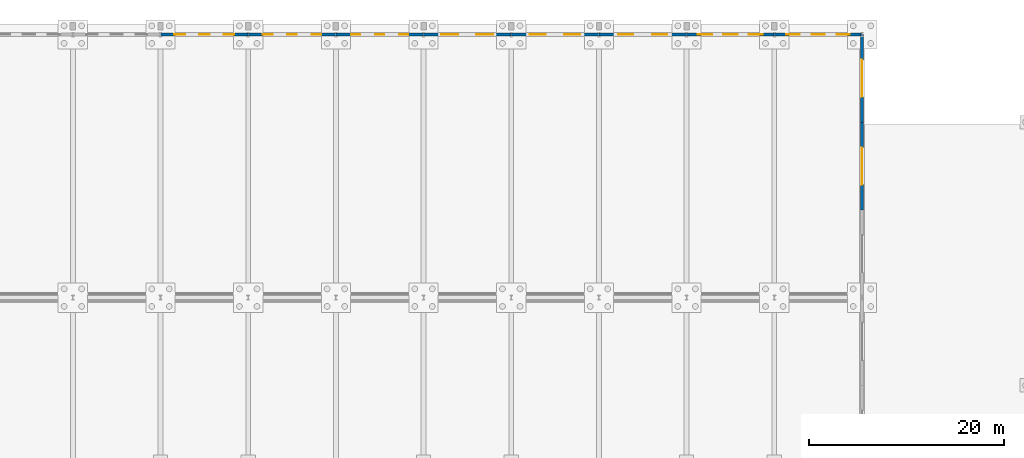
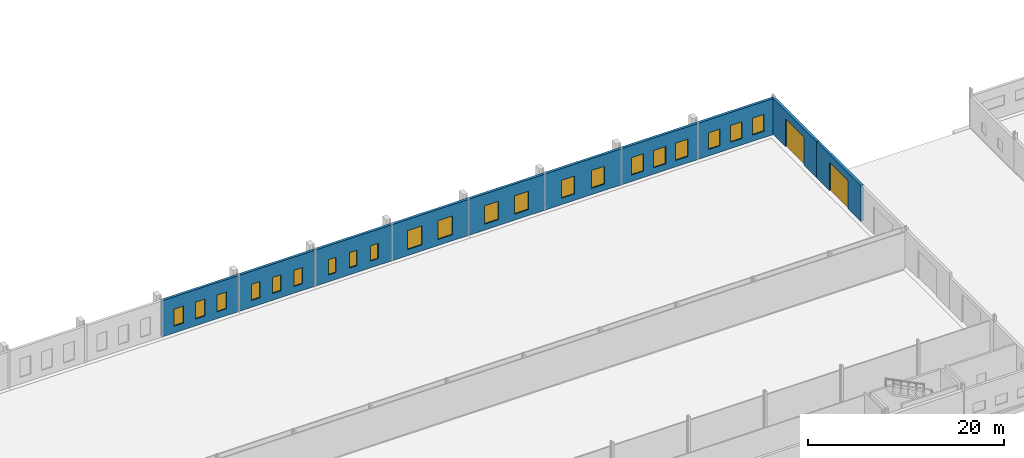
# One storey, part 84 of 112: 21 windows, 10 walls, 2 doors, 23 openings.
"""IFC4 building model written with IfcOpenShell, lengths in metres."""

from ifc_helpers import new_model, si_unit, direction, frame, frame_2d, origin, place, context, subcontext, project, spatial, rectangle, extrude, material, layer, layer_set, type_object, element, fill, save


model = new_model("IFC4")

# Units and contexts
model_context = context("Model", 3, precision=1e-05, world=origin(), true_north=direction((0.0, 1.0)))
body_context = subcontext(model_context, "Body", "Model", "MODEL_VIEW")
ifc_project = project(units=[si_unit("LENGTHUNIT", "METRE"), si_unit("AREAUNIT", "SQUARE_METRE"), si_unit("VOLUMEUNIT", "CUBIC_METRE"), si_unit("PLANEANGLEUNIT", "RADIAN"), si_unit("MASSUNIT", "GRAM", prefix="KILO")], contexts=[model_context])

# Site, building, storey
site_placement = place(None, origin())
site = spatial("IfcSite", under=ifc_project, at=site_placement, CompositionType="ELEMENT")
building_placement = place(site_placement, origin())
building = spatial("IfcBuilding", under=site, at=building_placement, Name="Tharagai Park Tramway Depot", CompositionType="ELEMENT")
storey_placement = place(building_placement, origin())
storey = spatial("IfcBuildingStorey", under=building, at=storey_placement, Name="L00", CompositionType="ELEMENT", Elevation=0.0)

# Wall, openings, windows
ifc_material_1 = material(Name="Pressed clay brick", Category="masonry")
ifc_layer = layer(ifc_material_1, 0.300048828125)
ifc_layer_set = layer_set([ifc_layer], Name="Pressed clay brick")
wall_type = type_object("IfcWallType", Name="EW-08", PredefinedType="SOLIDWALL", material=ifc_layer_set)
wall_1_placement = place(storey_placement, frame((72.00390625, 144.0, 0.0), z_axis=(0.0, 0.0, 1.0), x_axis=(1.0, 0.0, 0.0)))
wall_1 = element("IfcWall", 1, at=wall_1_placement, inside=storey, type_object=wall_type, Name="L00 V1 Exterior Masonry Wall EW-08", PredefinedType="SOLIDWALL", context=body_context, shape_type="SweptSolid", body=[
    extrude(rectangle(XDim=8.9921875, YDim=0.300048828125, at=frame_2d((4.49609375, 0.0))), origin(), (0.0, 0.0, 1.0), 4.491943359375),
])
opening_1_placement = place(wall_1_placement, frame((1.423095703125, 0.0, 0.85009765625)))
opening_1 = element("IfcOpeningElement", 2, at=opening_1_placement, cuts=wall_1, Name="Opening WN-10", PredefinedType="OPENING", context=body_context, shape_type="SweptSolid", body=[
    extrude(rectangle(XDim=1.10009765625, YDim=2.10009765625, at=frame_2d((0.550048828125, 1.050048828125))), frame((0.0, 0.159912109375, 0.0), z_axis=(0.0, -1.0, 0.0), x_axis=(1.0, 0.0, 0.0)), (0.0, 0.0, 1.0), 0.320068359375),
])
opening_2_placement = place(wall_1_placement, frame((3.946044921875, 0.0, 0.85009765625)))
opening_2 = element("IfcOpeningElement", 3, at=opening_2_placement, cuts=wall_1, Name="Opening WN-10", PredefinedType="OPENING", context=body_context, shape_type="SweptSolid", body=[
    extrude(rectangle(XDim=1.10009765625, YDim=2.10009765625, at=frame_2d((0.550048828125, 1.050048828125))), frame((0.0, 0.159912109375, 0.0), z_axis=(0.0, -1.0, 0.0), x_axis=(1.0, 0.0, 0.0)), (0.0, 0.0, 1.0), 0.320068359375),
])
opening_3_placement = place(wall_1_placement, frame((6.468994140625, 0.0, 0.85009765625)))
opening_3 = element("IfcOpeningElement", 4, at=opening_3_placement, cuts=wall_1, Name="Opening WN-10", PredefinedType="OPENING", context=body_context, shape_type="SweptSolid", body=[
    extrude(rectangle(XDim=1.10009765625, YDim=2.10009765625, at=frame_2d((0.550048828125, 1.050048828125))), frame((0.0, 0.159912109375, 0.0), z_axis=(0.0, -1.0, 0.0), x_axis=(1.0, 0.0, 0.0)), (0.0, 0.0, 1.0), 0.320068359375),
])
ifc_material_2 = material(Name="Laminated solar-control glass", Category="glass")
window_type_1 = type_object("IfcWindowType", Name="WN-10", PartitioningType="SINGLE_PANEL", PredefinedType="WINDOW", material=ifc_material_2)
window_1_placement = place(opening_1_placement, origin())
window_1 = element("IfcWindow", 5, at=window_1_placement, inside=storey, type_object=window_type_1, Name="L00 V1 Gothic Lancet Window WN-10", OverallHeight=2.10009765625, OverallWidth=1.10009765625, PartitioningType="SINGLE_PANEL", PredefinedType="WINDOW", context=body_context, shape_type="SweptSolid", body=[
    extrude(rectangle(XDim=1.10009765625, YDim=2.10009765625, at=frame_2d((0.550048828125, 1.050048828125))), frame((0.0, 0.030029296875, 0.0), z_axis=(0.0, -1.0, 0.0), x_axis=(1.0, 0.0, 0.0)), (0.0, 0.0, 1.0), 0.06005859375),
])
fill(opening_1, window_1)
window_2_placement = place(opening_2_placement, origin())
window_2 = element("IfcWindow", 6, at=window_2_placement, inside=storey, type_object=window_type_1, Name="L00 V1 Gothic Lancet Window WN-10", OverallHeight=2.10009765625, OverallWidth=1.10009765625, PartitioningType="SINGLE_PANEL", PredefinedType="WINDOW", context=body_context, shape_type="SweptSolid", body=[
    extrude(rectangle(XDim=1.10009765625, YDim=2.10009765625, at=frame_2d((0.550048828125, 1.050048828125))), frame((0.0, 0.030029296875, 0.0), z_axis=(0.0, -1.0, 0.0), x_axis=(1.0, 0.0, 0.0)), (0.0, 0.0, 1.0), 0.06005859375),
])
fill(opening_2, window_2)
window_3_placement = place(opening_3_placement, origin())
window_3 = element("IfcWindow", 7, at=window_3_placement, inside=storey, type_object=window_type_1, Name="L00 V1 Gothic Lancet Window WN-10", OverallHeight=2.10009765625, OverallWidth=1.10009765625, PartitioningType="SINGLE_PANEL", PredefinedType="WINDOW", context=body_context, shape_type="SweptSolid", body=[
    extrude(rectangle(XDim=1.10009765625, YDim=2.10009765625, at=frame_2d((0.550048828125, 1.050048828125))), frame((0.0, 0.030029296875, 0.0), z_axis=(0.0, -1.0, 0.0), x_axis=(1.0, 0.0, 0.0)), (0.0, 0.0, 1.0), 0.06005859375),
])
fill(opening_3, window_3)

wall_2_placement = place(storey_placement, frame((81.00390625, 144.0, 0.0), z_axis=(0.0, 0.0, 1.0), x_axis=(1.0, 0.0, 0.0)))
wall_2 = element("IfcWall", 8, at=wall_2_placement, inside=storey, type_object=wall_type, Name="L00 V1 Exterior Masonry Wall EW-08", PredefinedType="SOLIDWALL", context=body_context, shape_type="SweptSolid", body=[
    extrude(rectangle(XDim=8.9921875, YDim=0.300048828125, at=frame_2d((4.49609375, 0.0))), origin(), (0.0, 0.0, 1.0), 4.491943359375),
])
opening_4_placement = place(wall_2_placement, frame((1.498046875, 0.0, 0.85009765625)))
opening_4 = element("IfcOpeningElement", 9, at=opening_4_placement, cuts=wall_2, Name="Opening WN-04", PredefinedType="OPENING", context=body_context, shape_type="SweptSolid", body=[
    extrude(rectangle(XDim=1.0, YDim=2.0, at=frame_2d((0.5, 1.0))), frame((0.0, 0.159912109375, 0.0), z_axis=(0.0, -1.0, 0.0), x_axis=(1.0, 0.0, 0.0)), (0.0, 0.0, 1.0), 0.320068359375),
])
opening_5_placement = place(wall_2_placement, frame((3.99609375, 0.0, 0.85009765625)))
opening_5 = element("IfcOpeningElement", 10, at=opening_5_placement, cuts=wall_2, Name="Opening WN-04", PredefinedType="OPENING", context=body_context, shape_type="SweptSolid", body=[
    extrude(rectangle(XDim=1.0, YDim=2.0, at=frame_2d((0.5, 1.0))), frame((0.0, 0.159912109375, 0.0), z_axis=(0.0, -1.0, 0.0), x_axis=(1.0, 0.0, 0.0)), (0.0, 0.0, 1.0), 0.320068359375),
])
opening_6_placement = place(wall_2_placement, frame((6.493896484375, 0.0, 0.85009765625)))
opening_6 = element("IfcOpeningElement", 11, at=opening_6_placement, cuts=wall_2, Name="Opening WN-04", PredefinedType="OPENING", context=body_context, shape_type="SweptSolid", body=[
    extrude(rectangle(XDim=1.0, YDim=2.0, at=frame_2d((0.5, 1.0))), frame((0.0, 0.159912109375, 0.0), z_axis=(0.0, -1.0, 0.0), x_axis=(1.0, 0.0, 0.0)), (0.0, 0.0, 1.0), 0.320068359375),
])
window_type_2 = type_object("IfcWindowType", Name="WN-04", PartitioningType="SINGLE_PANEL", PredefinedType="WINDOW", material=ifc_material_2)
window_4_placement = place(opening_4_placement, origin())
window_4 = element("IfcWindow", 12, at=window_4_placement, inside=storey, type_object=window_type_2, Name="L00 V1 Gothic Lancet Window WN-04", OverallHeight=2.0, OverallWidth=1.0, PartitioningType="SINGLE_PANEL", PredefinedType="WINDOW", context=body_context, shape_type="SweptSolid", body=[
    extrude(rectangle(XDim=1.0, YDim=2.0, at=frame_2d((0.5, 1.0))), frame((0.0, 0.030029296875, 0.0), z_axis=(0.0, -1.0, 0.0), x_axis=(1.0, 0.0, 0.0)), (0.0, 0.0, 1.0), 0.06005859375),
])
fill(opening_4, window_4)
window_5_placement = place(opening_5_placement, origin())
window_5 = element("IfcWindow", 13, at=window_5_placement, inside=storey, type_object=window_type_2, Name="L00 V1 Gothic Lancet Window WN-04", OverallHeight=2.0, OverallWidth=1.0, PartitioningType="SINGLE_PANEL", PredefinedType="WINDOW", context=body_context, shape_type="SweptSolid", body=[
    extrude(rectangle(XDim=1.0, YDim=2.0, at=frame_2d((0.5, 1.0))), frame((0.0, 0.030029296875, 0.0), z_axis=(0.0, -1.0, 0.0), x_axis=(1.0, 0.0, 0.0)), (0.0, 0.0, 1.0), 0.06005859375),
])
fill(opening_5, window_5)
window_6_placement = place(opening_6_placement, origin())
window_6 = element("IfcWindow", 14, at=window_6_placement, inside=storey, type_object=window_type_2, Name="L00 V1 Gothic Lancet Window WN-04", OverallHeight=2.0, OverallWidth=1.0, PartitioningType="SINGLE_PANEL", PredefinedType="WINDOW", context=body_context, shape_type="SweptSolid", body=[
    extrude(rectangle(XDim=1.0, YDim=2.0, at=frame_2d((0.5, 1.0))), frame((0.0, 0.030029296875, 0.0), z_axis=(0.0, -1.0, 0.0), x_axis=(1.0, 0.0, 0.0)), (0.0, 0.0, 1.0), 0.06005859375),
])
fill(opening_6, window_6)

wall_3_placement = place(storey_placement, frame((90.00390625, 144.0, 0.0), z_axis=(0.0, 0.0, 1.0), x_axis=(1.0, 0.0, 0.0)))
wall_3 = element("IfcWall", 15, at=wall_3_placement, inside=storey, type_object=wall_type, Name="L00 V1 Exterior Masonry Wall EW-08", PredefinedType="SOLIDWALL", context=body_context, shape_type="SweptSolid", body=[
    extrude(rectangle(XDim=8.9921875, YDim=0.300048828125, at=frame_2d((4.49609375, 0.0))), origin(), (0.0, 0.0, 1.0), 4.491943359375),
])
opening_7_placement = place(wall_3_placement, frame((1.572998046875, 0.0, 0.85009765625)))
opening_7 = element("IfcOpeningElement", 16, at=opening_7_placement, cuts=wall_3, Name="Opening WN-08", PredefinedType="OPENING", context=body_context, shape_type="SweptSolid", body=[
    extrude(rectangle(XDim=0.89990234375, YDim=1.89990234375, at=frame_2d((0.449951171875, 0.949951171875))), frame((0.0, 0.159912109375, 0.0), z_axis=(0.0, -1.0, 0.0), x_axis=(1.0, 0.0, 0.0)), (0.0, 0.0, 1.0), 0.320068359375),
])
opening_8_placement = place(wall_3_placement, frame((4.0458984375, 0.0, 0.85009765625)))
opening_8 = element("IfcOpeningElement", 17, at=opening_8_placement, cuts=wall_3, Name="Opening WN-08", PredefinedType="OPENING", context=body_context, shape_type="SweptSolid", body=[
    extrude(rectangle(XDim=0.89990234375, YDim=1.89990234375, at=frame_2d((0.449951171875, 0.949951171875))), frame((0.0, 0.159912109375, 0.0), z_axis=(0.0, -1.0, 0.0), x_axis=(1.0, 0.0, 0.0)), (0.0, 0.0, 1.0), 0.320068359375),
])
opening_9_placement = place(wall_3_placement, frame((6.51904296875, 0.0, 0.85009765625)))
opening_9 = element("IfcOpeningElement", 18, at=opening_9_placement, cuts=wall_3, Name="Opening WN-08", PredefinedType="OPENING", context=body_context, shape_type="SweptSolid", body=[
    extrude(rectangle(XDim=0.89990234375, YDim=1.89990234375, at=frame_2d((0.449951171875, 0.949951171875))), frame((0.0, 0.159912109375, 0.0), z_axis=(0.0, -1.0, 0.0), x_axis=(1.0, 0.0, 0.0)), (0.0, 0.0, 1.0), 0.320068359375),
])
window_type_3 = type_object("IfcWindowType", Name="WN-08", PartitioningType="SINGLE_PANEL", PredefinedType="WINDOW", material=ifc_material_2)
window_7_placement = place(opening_7_placement, origin())
window_7 = element("IfcWindow", 19, at=window_7_placement, inside=storey, type_object=window_type_3, Name="L00 V1 Gothic Lancet Window WN-08", OverallHeight=1.89990234375, OverallWidth=0.89990234375, PartitioningType="SINGLE_PANEL", PredefinedType="WINDOW", context=body_context, shape_type="SweptSolid", body=[
    extrude(rectangle(XDim=0.89990234375, YDim=1.89990234375, at=frame_2d((0.449951171875, 0.949951171875))), frame((0.0, 0.030029296875, 0.0), z_axis=(0.0, -1.0, 0.0), x_axis=(1.0, 0.0, 0.0)), (0.0, 0.0, 1.0), 0.06005859375),
])
fill(opening_7, window_7)
window_8_placement = place(opening_8_placement, origin())
window_8 = element("IfcWindow", 20, at=window_8_placement, inside=storey, type_object=window_type_3, Name="L00 V1 Gothic Lancet Window WN-08", OverallHeight=1.89990234375, OverallWidth=0.89990234375, PartitioningType="SINGLE_PANEL", PredefinedType="WINDOW", context=body_context, shape_type="SweptSolid", body=[
    extrude(rectangle(XDim=0.89990234375, YDim=1.89990234375, at=frame_2d((0.449951171875, 0.949951171875))), frame((0.0, 0.030029296875, 0.0), z_axis=(0.0, -1.0, 0.0), x_axis=(1.0, 0.0, 0.0)), (0.0, 0.0, 1.0), 0.06005859375),
])
fill(opening_8, window_8)
window_9_placement = place(opening_9_placement, origin())
window_9 = element("IfcWindow", 21, at=window_9_placement, inside=storey, type_object=window_type_3, Name="L00 V1 Gothic Lancet Window WN-08", OverallHeight=1.89990234375, OverallWidth=0.89990234375, PartitioningType="SINGLE_PANEL", PredefinedType="WINDOW", context=body_context, shape_type="SweptSolid", body=[
    extrude(rectangle(XDim=0.89990234375, YDim=1.89990234375, at=frame_2d((0.449951171875, 0.949951171875))), frame((0.0, 0.030029296875, 0.0), z_axis=(0.0, -1.0, 0.0), x_axis=(1.0, 0.0, 0.0)), (0.0, 0.0, 1.0), 0.06005859375),
])
fill(opening_9, window_9)

wall_4_placement = place(storey_placement, frame((99.00390625, 144.0, 0.0), z_axis=(0.0, 0.0, 1.0), x_axis=(1.0, 0.0, 0.0)))
wall_4 = element("IfcWall", 22, at=wall_4_placement, inside=storey, type_object=wall_type, Name="L00 V1 Exterior Masonry Wall EW-08", PredefinedType="SOLIDWALL", context=body_context, shape_type="SweptSolid", body=[
    extrude(rectangle(XDim=8.9921875, YDim=0.300048828125, at=frame_2d((4.49609375, 0.0))), origin(), (0.0, 0.0, 1.0), 4.491943359375),
])
opening_10_placement = place(wall_4_placement, frame((1.8310546875, 0.0, 0.75)))
opening_10 = element("IfcOpeningElement", 23, at=opening_10_placement, cuts=wall_4, Name="Opening WN-23", PredefinedType="OPENING", context=body_context, shape_type="SweptSolid", body=[
    extrude(rectangle(XDim=1.75, YDim=2.35009765625, at=frame_2d((0.875, 1.175048828125))), frame((0.0, 0.159912109375, 0.0), z_axis=(0.0, -1.0, 0.0), x_axis=(1.0, 0.0, 0.0)), (0.0, 0.0, 1.0), 0.320068359375),
])
opening_11_placement = place(wall_4_placement, frame((5.410888671875, 0.0, 0.75)))
opening_11 = element("IfcOpeningElement", 24, at=opening_11_placement, cuts=wall_4, Name="Opening WN-23", PredefinedType="OPENING", context=body_context, shape_type="SweptSolid", body=[
    extrude(rectangle(XDim=1.75, YDim=2.35009765625, at=frame_2d((0.875, 1.175048828125))), frame((0.0, 0.159912109375, 0.0), z_axis=(0.0, -1.0, 0.0), x_axis=(1.0, 0.0, 0.0)), (0.0, 0.0, 1.0), 0.320068359375),
])
window_type_4 = type_object("IfcWindowType", Name="WN-23", PartitioningType="SINGLE_PANEL", PredefinedType="WINDOW", material=ifc_material_2)
window_10_placement = place(opening_10_placement, origin())
window_10 = element("IfcWindow", 25, at=window_10_placement, inside=storey, type_object=window_type_4, Name="L00 V1 Gothic Lancet Window WN-23", OverallHeight=2.35009765625, OverallWidth=1.75, PartitioningType="SINGLE_PANEL", PredefinedType="WINDOW", context=body_context, shape_type="SweptSolid", body=[
    extrude(rectangle(XDim=1.75, YDim=2.35009765625, at=frame_2d((0.875, 1.175048828125))), frame((0.0, 0.030029296875, 0.0), z_axis=(0.0, -1.0, 0.0), x_axis=(1.0, 0.0, 0.0)), (0.0, 0.0, 1.0), 0.06005859375),
])
fill(opening_10, window_10)
window_11_placement = place(opening_11_placement, origin())
window_11 = element("IfcWindow", 26, at=window_11_placement, inside=storey, type_object=window_type_4, Name="L00 V1 Gothic Lancet Window WN-23", OverallHeight=2.35009765625, OverallWidth=1.75, PartitioningType="SINGLE_PANEL", PredefinedType="WINDOW", context=body_context, shape_type="SweptSolid", body=[
    extrude(rectangle(XDim=1.75, YDim=2.35009765625, at=frame_2d((0.875, 1.175048828125))), frame((0.0, 0.030029296875, 0.0), z_axis=(0.0, -1.0, 0.0), x_axis=(1.0, 0.0, 0.0)), (0.0, 0.0, 1.0), 0.06005859375),
])
fill(opening_11, window_11)

wall_5_placement = place(storey_placement, frame((108.00390625, 144.0, 0.0), z_axis=(0.0, 0.0, 1.0), x_axis=(1.0, 0.0, 0.0)))
wall_5 = element("IfcWall", 27, at=wall_5_placement, inside=storey, type_object=wall_type, Name="L00 V1 Exterior Masonry Wall EW-08", PredefinedType="SOLIDWALL", context=body_context, shape_type="SweptSolid", body=[
    extrude(rectangle(XDim=8.9921875, YDim=0.300048828125, at=frame_2d((4.49609375, 0.0))), origin(), (0.0, 0.0, 1.0), 4.491943359375),
])
opening_12_placement = place(wall_5_placement, frame((1.89697265625, 0.0, 0.75)))
opening_12 = element("IfcOpeningElement", 28, at=opening_12_placement, cuts=wall_5, Name="Opening WN-11", PredefinedType="OPENING", context=body_context, shape_type="SweptSolid", body=[
    extrude(rectangle(XDim=1.64990234375, YDim=2.280029296875, at=frame_2d((0.824951171875, 1.14013671875))), frame((0.0, 0.159912109375, 0.0), z_axis=(0.0, -1.0, 0.0), x_axis=(1.0, 0.0, 0.0)), (0.0, 0.0, 1.0), 0.320068359375),
])
opening_13_placement = place(wall_5_placement, frame((5.445068359375, 0.0, 0.75)))
opening_13 = element("IfcOpeningElement", 29, at=opening_13_placement, cuts=wall_5, Name="Opening WN-11", PredefinedType="OPENING", context=body_context, shape_type="SweptSolid", body=[
    extrude(rectangle(XDim=1.64990234375, YDim=2.280029296875, at=frame_2d((0.824951171875, 1.14013671875))), frame((0.0, 0.159912109375, 0.0), z_axis=(0.0, -1.0, 0.0), x_axis=(1.0, 0.0, 0.0)), (0.0, 0.0, 1.0), 0.320068359375),
])
window_type_5 = type_object("IfcWindowType", Name="WN-11", PartitioningType="SINGLE_PANEL", PredefinedType="WINDOW", material=ifc_material_2)
window_12_placement = place(opening_12_placement, origin())
window_12 = element("IfcWindow", 30, at=window_12_placement, inside=storey, type_object=window_type_5, Name="L00 V1 Gothic Lancet Window WN-11", OverallHeight=2.280029296875, OverallWidth=1.64990234375, PartitioningType="SINGLE_PANEL", PredefinedType="WINDOW", context=body_context, shape_type="SweptSolid", body=[
    extrude(rectangle(XDim=1.64990234375, YDim=2.280029296875, at=frame_2d((0.824951171875, 1.14013671875))), frame((0.0, 0.030029296875, 0.0), z_axis=(0.0, -1.0, 0.0), x_axis=(1.0, 0.0, 0.0)), (0.0, 0.0, 1.0), 0.06005859375),
])
fill(opening_12, window_12)
window_13_placement = place(opening_13_placement, origin())
window_13 = element("IfcWindow", 31, at=window_13_placement, inside=storey, type_object=window_type_5, Name="L00 V1 Gothic Lancet Window WN-11", OverallHeight=2.280029296875, OverallWidth=1.64990234375, PartitioningType="SINGLE_PANEL", PredefinedType="WINDOW", context=body_context, shape_type="SweptSolid", body=[
    extrude(rectangle(XDim=1.64990234375, YDim=2.280029296875, at=frame_2d((0.824951171875, 1.14013671875))), frame((0.0, 0.030029296875, 0.0), z_axis=(0.0, -1.0, 0.0), x_axis=(1.0, 0.0, 0.0)), (0.0, 0.0, 1.0), 0.06005859375),
])
fill(opening_13, window_13)

wall_6_placement = place(storey_placement, frame((117.00390625, 144.0, 0.0), z_axis=(0.0, 0.0, 1.0), x_axis=(1.0, 0.0, 0.0)))
wall_6 = element("IfcWall", 32, at=wall_6_placement, inside=storey, type_object=wall_type, Name="L00 V1 Exterior Masonry Wall EW-08", PredefinedType="SOLIDWALL", context=body_context, shape_type="SweptSolid", body=[
    extrude(rectangle(XDim=8.9921875, YDim=0.300048828125, at=frame_2d((4.49609375, 0.0))), origin(), (0.0, 0.0, 1.0), 4.491943359375),
])
opening_14_placement = place(wall_6_placement, frame((1.964111328125, 0.0, 0.800048828125)))
opening_14 = element("IfcOpeningElement", 33, at=opening_14_placement, cuts=wall_6, Name="Opening WN-17", PredefinedType="OPENING", context=body_context, shape_type="SweptSolid", body=[
    extrude(rectangle(XDim=1.550048828125, YDim=2.219970703125, at=frame_2d((0.77490234375, 1.10986328125))), frame((0.0, 0.159912109375, 0.0), z_axis=(0.0, -1.0, 0.0), x_axis=(1.0, 0.0, 0.0)), (0.0, 0.0, 1.0), 0.320068359375),
])
opening_15_placement = place(wall_6_placement, frame((5.47802734375, 0.0, 0.800048828125)))
opening_15 = element("IfcOpeningElement", 34, at=opening_15_placement, cuts=wall_6, Name="Opening WN-17", PredefinedType="OPENING", context=body_context, shape_type="SweptSolid", body=[
    extrude(rectangle(XDim=1.550048828125, YDim=2.219970703125, at=frame_2d((0.77490234375, 1.10986328125))), frame((0.0, 0.159912109375, 0.0), z_axis=(0.0, -1.0, 0.0), x_axis=(1.0, 0.0, 0.0)), (0.0, 0.0, 1.0), 0.320068359375),
])
window_type_6 = type_object("IfcWindowType", Name="WN-17", PartitioningType="SINGLE_PANEL", PredefinedType="WINDOW", material=ifc_material_2)
window_14_placement = place(opening_14_placement, origin())
window_14 = element("IfcWindow", 35, at=window_14_placement, inside=storey, type_object=window_type_6, Name="L00 V1 Gothic Lancet Window WN-17", OverallHeight=2.219970703125, OverallWidth=1.550048828125, PartitioningType="SINGLE_PANEL", PredefinedType="WINDOW", context=body_context, shape_type="SweptSolid", body=[
    extrude(rectangle(XDim=1.550048828125, YDim=2.219970703125, at=frame_2d((0.77490234375, 1.10986328125))), frame((0.0, 0.030029296875, 0.0), z_axis=(0.0, -1.0, 0.0), x_axis=(1.0, 0.0, 0.0)), (0.0, 0.0, 1.0), 0.06005859375),
])
fill(opening_14, window_14)
window_15_placement = place(opening_15_placement, origin())
window_15 = element("IfcWindow", 36, at=window_15_placement, inside=storey, type_object=window_type_6, Name="L00 V1 Gothic Lancet Window WN-17", OverallHeight=2.219970703125, OverallWidth=1.550048828125, PartitioningType="SINGLE_PANEL", PredefinedType="WINDOW", context=body_context, shape_type="SweptSolid", body=[
    extrude(rectangle(XDim=1.550048828125, YDim=2.219970703125, at=frame_2d((0.77490234375, 1.10986328125))), frame((0.0, 0.030029296875, 0.0), z_axis=(0.0, -1.0, 0.0), x_axis=(1.0, 0.0, 0.0)), (0.0, 0.0, 1.0), 0.06005859375),
])
fill(opening_15, window_15)

wall_7_placement = place(storey_placement, frame((126.00390625, 144.0, 0.0), z_axis=(0.0, 0.0, 1.0), x_axis=(1.0, 0.0, 0.0)))
wall_7 = element("IfcWall", 37, at=wall_7_placement, inside=storey, type_object=wall_type, Name="L00 V1 Exterior Masonry Wall EW-08", PredefinedType="SOLIDWALL", context=body_context, shape_type="SweptSolid", body=[
    extrude(rectangle(XDim=8.9921875, YDim=0.300048828125, at=frame_2d((4.49609375, 0.0))), origin(), (0.0, 0.0, 1.0), 4.491943359375),
])
opening_16_placement = place(wall_7_placement, frame((1.160888671875, 0.0, 0.800048828125)))
opening_16 = element("IfcOpeningElement", 38, at=opening_16_placement, cuts=wall_7, Name="Opening WN-37", PredefinedType="OPENING", context=body_context, shape_type="SweptSolid", body=[
    extrude(rectangle(XDim=1.449951171875, YDim=2.14990234375, at=frame_2d((0.72509765625, 1.074951171875))), frame((0.0, 0.159912109375, 0.0), z_axis=(0.0, -1.0, 0.0), x_axis=(1.0, 0.0, 0.0)), (0.0, 0.0, 1.0), 0.320068359375),
])
opening_17_placement = place(wall_7_placement, frame((3.77099609375, 0.0, 0.800048828125)))
opening_17 = element("IfcOpeningElement", 39, at=opening_17_placement, cuts=wall_7, Name="Opening WN-37", PredefinedType="OPENING", context=body_context, shape_type="SweptSolid", body=[
    extrude(rectangle(XDim=1.449951171875, YDim=2.14990234375, at=frame_2d((0.72509765625, 1.074951171875))), frame((0.0, 0.159912109375, 0.0), z_axis=(0.0, -1.0, 0.0), x_axis=(1.0, 0.0, 0.0)), (0.0, 0.0, 1.0), 0.320068359375),
])
opening_18_placement = place(wall_7_placement, frame((6.382080078125, 0.0, 0.800048828125)))
opening_18 = element("IfcOpeningElement", 40, at=opening_18_placement, cuts=wall_7, Name="Opening WN-37", PredefinedType="OPENING", context=body_context, shape_type="SweptSolid", body=[
    extrude(rectangle(XDim=1.449951171875, YDim=2.14990234375, at=frame_2d((0.72509765625, 1.074951171875))), frame((0.0, 0.159912109375, 0.0), z_axis=(0.0, -1.0, 0.0), x_axis=(1.0, 0.0, 0.0)), (0.0, 0.0, 1.0), 0.320068359375),
])
window_type_7 = type_object("IfcWindowType", Name="WN-37", PartitioningType="SINGLE_PANEL", PredefinedType="WINDOW", material=ifc_material_2)
window_16_placement = place(opening_16_placement, origin())
window_16 = element("IfcWindow", 41, at=window_16_placement, inside=storey, type_object=window_type_7, Name="L00 V1 Gothic Lancet Window WN-37", OverallHeight=2.14990234375, OverallWidth=1.449951171875, PartitioningType="SINGLE_PANEL", PredefinedType="WINDOW", context=body_context, shape_type="SweptSolid", body=[
    extrude(rectangle(XDim=1.449951171875, YDim=2.14990234375, at=frame_2d((0.72509765625, 1.074951171875))), frame((0.0, 0.030029296875, 0.0), z_axis=(0.0, -1.0, 0.0), x_axis=(1.0, 0.0, 0.0)), (0.0, 0.0, 1.0), 0.06005859375),
])
fill(opening_16, window_16)
window_17_placement = place(opening_17_placement, origin())
window_17 = element("IfcWindow", 42, at=window_17_placement, inside=storey, type_object=window_type_7, Name="L00 V1 Gothic Lancet Window WN-37", OverallHeight=2.14990234375, OverallWidth=1.449951171875, PartitioningType="SINGLE_PANEL", PredefinedType="WINDOW", context=body_context, shape_type="SweptSolid", body=[
    extrude(rectangle(XDim=1.449951171875, YDim=2.14990234375, at=frame_2d((0.72509765625, 1.074951171875))), frame((0.0, 0.030029296875, 0.0), z_axis=(0.0, -1.0, 0.0), x_axis=(1.0, 0.0, 0.0)), (0.0, 0.0, 1.0), 0.06005859375),
])
fill(opening_17, window_17)
window_18_placement = place(opening_18_placement, origin())
window_18 = element("IfcWindow", 43, at=window_18_placement, inside=storey, type_object=window_type_7, Name="L00 V1 Gothic Lancet Window WN-37", OverallHeight=2.14990234375, OverallWidth=1.449951171875, PartitioningType="SINGLE_PANEL", PredefinedType="WINDOW", context=body_context, shape_type="SweptSolid", body=[
    extrude(rectangle(XDim=1.449951171875, YDim=2.14990234375, at=frame_2d((0.72509765625, 1.074951171875))), frame((0.0, 0.030029296875, 0.0), z_axis=(0.0, -1.0, 0.0), x_axis=(1.0, 0.0, 0.0)), (0.0, 0.0, 1.0), 0.06005859375),
])
fill(opening_18, window_18)

wall_8_placement = place(storey_placement, frame((135.00390625, 144.0, 0.0), z_axis=(0.0, 0.0, 1.0), x_axis=(1.0, 0.0, 0.0)))
wall_8 = element("IfcWall", 44, at=wall_8_placement, inside=storey, type_object=wall_type, Name="L00 V1 Exterior Masonry Wall EW-08", PredefinedType="SOLIDWALL", context=body_context, shape_type="SweptSolid", body=[
    extrude(rectangle(XDim=8.9921875, YDim=0.300048828125, at=frame_2d((4.49609375, 0.0))), origin(), (0.0, 0.0, 1.0), 4.491943359375),
])
opening_19_placement = place(wall_8_placement, frame((1.236083984375, 0.0, 0.800048828125)))
opening_19 = element("IfcOpeningElement", 45, at=opening_19_placement, cuts=wall_8, Name="Opening WN-35", PredefinedType="OPENING", context=body_context, shape_type="SweptSolid", body=[
    extrude(rectangle(XDim=1.35009765625, YDim=2.080078125, at=frame_2d((0.675048828125, 1.0400390625))), frame((0.0, 0.159912109375, 0.0), z_axis=(0.0, -1.0, 0.0), x_axis=(1.0, 0.0, 0.0)), (0.0, 0.0, 1.0), 0.320068359375),
])
opening_20_placement = place(wall_8_placement, frame((3.821044921875, 0.0, 0.800048828125)))
opening_20 = element("IfcOpeningElement", 46, at=opening_20_placement, cuts=wall_8, Name="Opening WN-35", PredefinedType="OPENING", context=body_context, shape_type="SweptSolid", body=[
    extrude(rectangle(XDim=1.35009765625, YDim=2.080078125, at=frame_2d((0.675048828125, 1.0400390625))), frame((0.0, 0.159912109375, 0.0), z_axis=(0.0, -1.0, 0.0), x_axis=(1.0, 0.0, 0.0)), (0.0, 0.0, 1.0), 0.320068359375),
])
opening_21_placement = place(wall_8_placement, frame((6.406982421875, 0.0, 0.800048828125)))
opening_21 = element("IfcOpeningElement", 47, at=opening_21_placement, cuts=wall_8, Name="Opening WN-35", PredefinedType="OPENING", context=body_context, shape_type="SweptSolid", body=[
    extrude(rectangle(XDim=1.35009765625, YDim=2.080078125, at=frame_2d((0.675048828125, 1.0400390625))), frame((0.0, 0.159912109375, 0.0), z_axis=(0.0, -1.0, 0.0), x_axis=(1.0, 0.0, 0.0)), (0.0, 0.0, 1.0), 0.320068359375),
])
window_type_8 = type_object("IfcWindowType", Name="WN-35", PartitioningType="SINGLE_PANEL", PredefinedType="WINDOW", material=ifc_material_2)
window_19_placement = place(opening_19_placement, origin())
window_19 = element("IfcWindow", 48, at=window_19_placement, inside=storey, type_object=window_type_8, Name="L00 V1 Gothic Lancet Window WN-35", OverallHeight=2.080078125, OverallWidth=1.35009765625, PartitioningType="SINGLE_PANEL", PredefinedType="WINDOW", context=body_context, shape_type="SweptSolid", body=[
    extrude(rectangle(XDim=1.35009765625, YDim=2.080078125, at=frame_2d((0.675048828125, 1.0400390625))), frame((0.0, 0.030029296875, 0.0), z_axis=(0.0, -1.0, 0.0), x_axis=(1.0, 0.0, 0.0)), (0.0, 0.0, 1.0), 0.06005859375),
])
fill(opening_19, window_19)
window_20_placement = place(opening_20_placement, origin())
window_20 = element("IfcWindow", 49, at=window_20_placement, inside=storey, type_object=window_type_8, Name="L00 V1 Gothic Lancet Window WN-35", OverallHeight=2.080078125, OverallWidth=1.35009765625, PartitioningType="SINGLE_PANEL", PredefinedType="WINDOW", context=body_context, shape_type="SweptSolid", body=[
    extrude(rectangle(XDim=1.35009765625, YDim=2.080078125, at=frame_2d((0.675048828125, 1.0400390625))), frame((0.0, 0.030029296875, 0.0), z_axis=(0.0, -1.0, 0.0), x_axis=(1.0, 0.0, 0.0)), (0.0, 0.0, 1.0), 0.06005859375),
])
fill(opening_20, window_20)
window_21_placement = place(opening_21_placement, origin())
window_21 = element("IfcWindow", 50, at=window_21_placement, inside=storey, type_object=window_type_8, Name="L00 V1 Gothic Lancet Window WN-35", OverallHeight=2.080078125, OverallWidth=1.35009765625, PartitioningType="SINGLE_PANEL", PredefinedType="WINDOW", context=body_context, shape_type="SweptSolid", body=[
    extrude(rectangle(XDim=1.35009765625, YDim=2.080078125, at=frame_2d((0.675048828125, 1.0400390625))), frame((0.0, 0.030029296875, 0.0), z_axis=(0.0, -1.0, 0.0), x_axis=(1.0, 0.0, 0.0)), (0.0, 0.0, 1.0), 0.06005859375),
])
fill(opening_21, window_21)

# Wall, opening, door
wall_9_placement = place(storey_placement, frame((144.0, 126.0, 0.0), z_axis=(0.0, 0.0, 1.0), x_axis=(0.0, 1.0, 0.0)))
wall_9 = element("IfcWall", 51, at=wall_9_placement, inside=storey, type_object=wall_type, Name="L00 V1 Exterior Masonry Wall EW-08", PredefinedType="SOLIDWALL", context=body_context, shape_type="SweptSolid", body=[
    extrude(rectangle(XDim=9.0, YDim=0.300048828125, at=frame_2d((4.5, 0.0))), origin(), (0.0, 0.0, 1.0), 4.491943359375),
])
opening_22_placement = place(wall_9_placement, frame((2.60009765625, 0.0, 0.0)))
opening_22 = element("IfcOpeningElement", 52, at=opening_22_placement, cuts=wall_9, Name="Opening VG-01", PredefinedType="OPENING", context=body_context, shape_type="SweptSolid", body=[
    extrude(rectangle(XDim=3.800048828125, YDim=3.5, at=frame_2d((1.89990234375, 1.75))), frame((0.0, 0.159912109375, 0.0), z_axis=(0.0, -1.0, 0.0), x_axis=(1.0, 0.0, 0.0)), (0.0, 0.0, 1.0), 0.320068359375),
])
ifc_material_3 = material(Name="Galvanised steel", Category="steel")
door_type = type_object("IfcDoorType", Name="VG-01", OperationType="ROLLINGUP", PredefinedType="GATE", material=ifc_material_3)
door_1_placement = place(opening_22_placement, frame((3.800048828125, 0.0, 0.0), z_axis=(0.0, 0.0, 1.0), x_axis=(-1.0, 0.0, 0.0)))
door_1 = element("IfcDoor", 53, at=door_1_placement, inside=storey, type_object=door_type, Name="V1 Rolling-Stock Shutter Gate VG-01", OperationType="ROLLINGUP", OverallHeight=3.5, OverallWidth=3.800048828125, PredefinedType="GATE", context=body_context, shape_type="SweptSolid", body=[
    extrude(rectangle(XDim=3.800048828125, YDim=3.5, at=frame_2d((1.89990234375, 1.75))), frame((0.0, 0.02490234375, 0.0), z_axis=(0.0, -1.0, 0.0), x_axis=(1.0, 0.0, 0.0)), (0.0, 0.0, 1.0), 0.050048828125),
])
fill(opening_22, door_1)

wall_10_placement = place(storey_placement, frame((144.0, 135.0, 0.0), z_axis=(0.0, 0.0, 1.0), x_axis=(0.0, 1.0, 0.0)))
wall_10 = element("IfcWall", 54, at=wall_10_placement, inside=storey, type_object=wall_type, Name="L00 V1 Exterior Masonry Wall EW-08", PredefinedType="SOLIDWALL", context=body_context, shape_type="SweptSolid", body=[
    extrude(rectangle(XDim=8.99609375, YDim=0.300048828125, at=frame_2d((4.498046875, 0.0))), origin(), (0.0, 0.0, 1.0), 4.491943359375),
])
opening_23_placement = place(wall_10_placement, frame((2.597900390625, 0.0, 0.0)))
opening_23 = element("IfcOpeningElement", 55, at=opening_23_placement, cuts=wall_10, Name="Opening VG-01", PredefinedType="OPENING", context=body_context, shape_type="SweptSolid", body=[
    extrude(rectangle(XDim=3.800048828125, YDim=3.5, at=frame_2d((1.89990234375, 1.75))), frame((0.0, 0.159912109375, 0.0), z_axis=(0.0, -1.0, 0.0), x_axis=(1.0, 0.0, 0.0)), (0.0, 0.0, 1.0), 0.320068359375),
])
door_2_placement = place(opening_23_placement, frame((3.800048828125, 0.0, 0.0), z_axis=(0.0, 0.0, 1.0), x_axis=(-1.0, 0.0, 0.0)))
door_2 = element("IfcDoor", 56, at=door_2_placement, inside=storey, type_object=door_type, Name="V1 Rolling-Stock Shutter Gate VG-01", OperationType="ROLLINGUP", OverallHeight=3.5, OverallWidth=3.800048828125, PredefinedType="GATE", context=body_context, shape_type="SweptSolid", body=[
    extrude(rectangle(XDim=3.800048828125, YDim=3.5, at=frame_2d((1.89990234375, 1.75))), frame((0.0, 0.02490234375, 0.0), z_axis=(0.0, -1.0, 0.0), x_axis=(1.0, 0.0, 0.0)), (0.0, 0.0, 1.0), 0.050048828125),
])
fill(opening_23, door_2)

save(model, "model.ifc")
